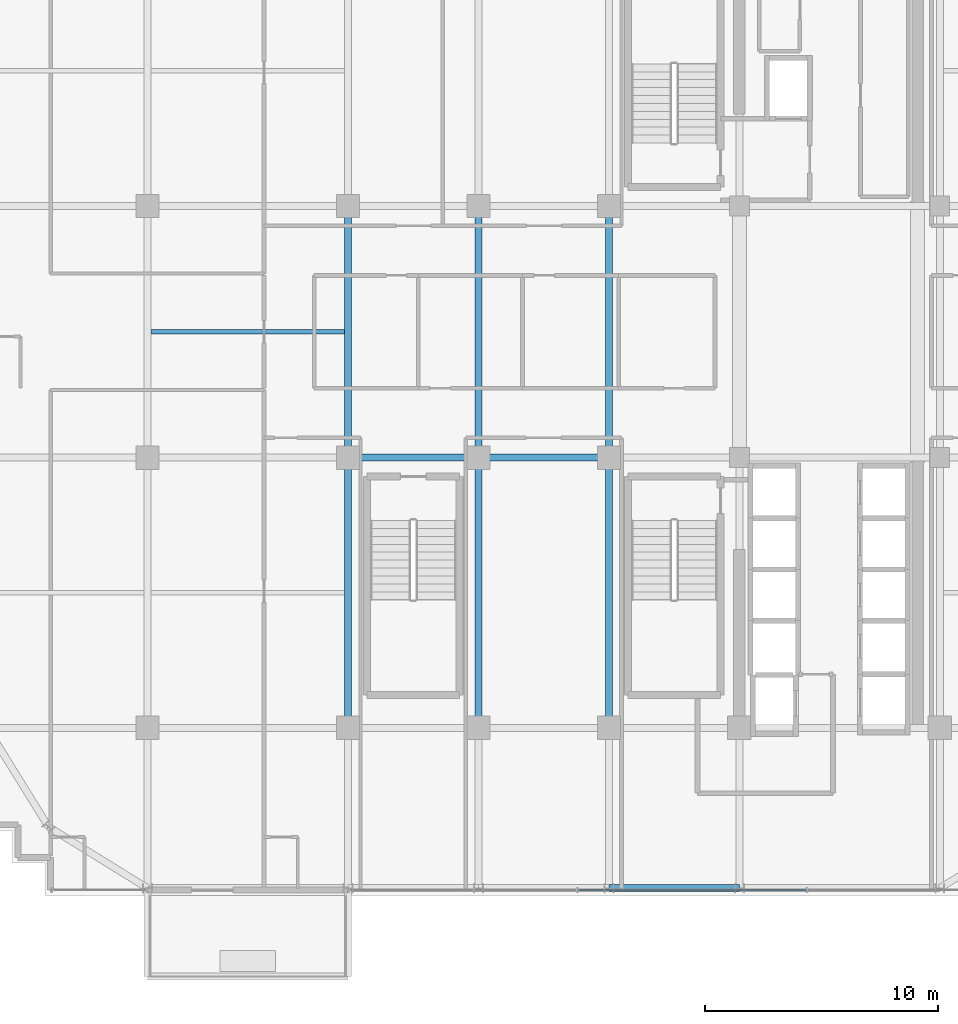
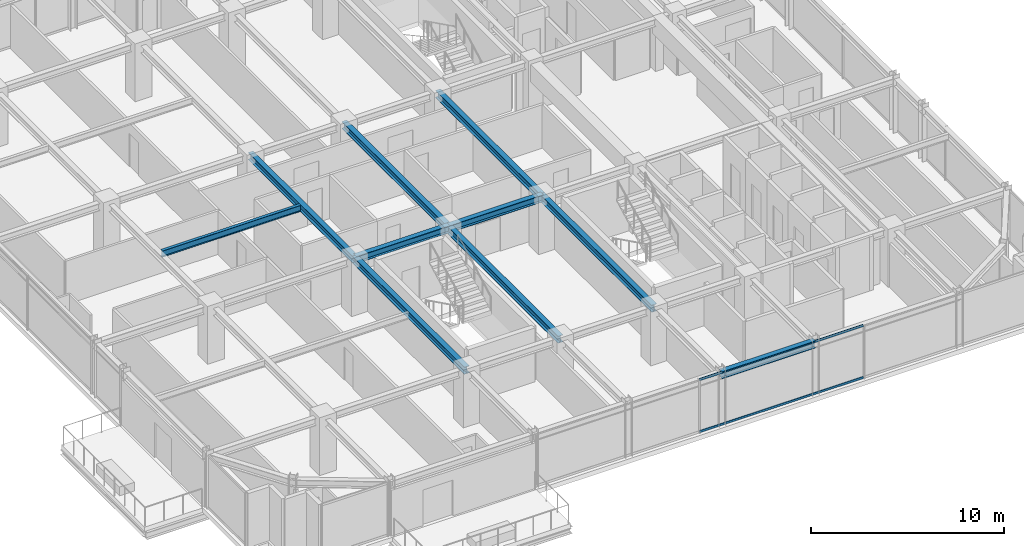
# One storey, part 11 of 35: 10 beams, 2 members, 1 element without a shape of its own.
"""IFC4 building model written with IfcOpenShell, lengths in metres."""

from ifc_helpers import new_model, si_unit, direction, frame, origin, origin_2d, place, context, subcontext, project, spatial, hollow_rectangle, i_section, extrude, source, transform, mapped, material, material_profile, profile_set, type_object, element, aggregate, save


model = new_model("IFC4")

# Units and contexts
model_context = context("Model", 3, precision=1e-05, world=origin(), true_north=direction((0.0, 1.0)))
body_context = subcontext(model_context, "Body", "Model", "MODEL_VIEW")
ifc_project = project(units=[si_unit("LENGTHUNIT", "METRE"), si_unit("AREAUNIT", "SQUARE_METRE"), si_unit("VOLUMEUNIT", "CUBIC_METRE"), si_unit("PLANEANGLEUNIT", "RADIAN"), si_unit("MASSUNIT", "GRAM", prefix="KILO")], contexts=[model_context])

# Site, building, storey
site_placement = place(None, origin())
site = spatial("IfcSite", under=ifc_project, at=site_placement, CompositionType="ELEMENT")
building_placement = place(site_placement, origin())
building = spatial("IfcBuilding", under=site, at=building_placement, Name="Nahalor Promenade Grand Hotel", CompositionType="ELEMENT")
storey_placement = place(building_placement, frame((0.0, 0.0, 216.0)))
storey = spatial("IfcBuildingStorey", under=building, at=storey_placement, Name="L55", CompositionType="ELEMENT", Elevation=216.0)

# Beams
ifc_material_1 = material(Name="Steel S355JR", Category="steel")
ifc_material_profile_1 = material_profile(ifc_material_1, i_section(OverallWidth=0.3, OverallDepth=0.45, WebThickness=0.014, FlangeThickness=0.026, at=origin_2d()), Name="HEB 450")
ifc_profile_set_1 = profile_set([ifc_material_profile_1], Name="Steel S355JR")
beam_type_1 = type_object("IfcBeamType", Name="Beam-Spandrel-HEB450", PredefinedType="SPANDREL", material=ifc_profile_set_1)
shared_shape_1 = source(origin(), body_context, "Body", "SweptSolid", [
    extrude(i_section(OverallWidth=0.3, OverallDepth=0.45, WebThickness=0.014, FlangeThickness=0.026, at=origin_2d()), origin(), (0.0, 0.0, 1.0), 5.599853515625),
])
beam_1_placement = place(storey_placement, frame((2.800048828125, -23.8798828125, 3.18505859375), z_axis=(1.0, 0.0, 0.0), x_axis=(0.0, 1.0, 0.0)))
element("IfcBeam", 1, at=beam_1_placement, inside=storey, type_object=beam_type_1, Name="BM-L55-SP-S-3", PredefinedType="SPANDREL", context=body_context, shape_type="MappedRepresentation", body=[
    mapped(shared_shape_1, transform((0.0, 0.0, 0.0), scale=1.0)),
])
ifc_material_profile_2 = material_profile(ifc_material_1, i_section(OverallWidth=0.3, OverallDepth=0.45, WebThickness=0.014, FlangeThickness=0.026, at=origin_2d()), Name="HEB 450")
ifc_profile_set_2 = profile_set([ifc_material_profile_2], Name="Steel S355JR")
beam_type_2 = type_object("IfcBeamType", Name="Beam-Girder-HEB450", PredefinedType="BEAM", material=ifc_profile_set_2)
shared_shape_2 = source(origin(), body_context, "Body", "SweptSolid", [
    extrude(i_section(OverallWidth=0.3, OverallDepth=0.45, WebThickness=0.014, FlangeThickness=0.026, at=origin_2d()), origin(), (0.0, 0.0, 1.0), 5.599853515625),
])
beam_2_placement = place(storey_placement, frame((-8.39990234375, -5.39990234375, 3.18505859375), z_axis=(1.0, 0.0, 0.0), x_axis=(0.0, 1.0, 0.0)))
element("IfcBeam", 2, at=beam_2_placement, inside=storey, type_object=beam_type_2, Name="BM-L55-GX-1-2", PredefinedType="BEAM", context=body_context, shape_type="MappedRepresentation", body=[
    mapped(shared_shape_2, transform((0.0, 0.0, 0.0), scale=1.0)),
])
shared_shape_3 = source(origin(), body_context, "Body", "SweptSolid", [
    extrude(i_section(OverallWidth=0.3, OverallDepth=0.45, WebThickness=0.014, FlangeThickness=0.026, at=origin_2d()), origin(), (0.0, 0.0, 1.0), 5.60009765625),
])
beam_3_placement = place(storey_placement, frame((-2.800048828125, -5.39990234375, 3.18505859375), z_axis=(1.0, 0.0, 0.0), x_axis=(0.0, 1.0, 0.0)))
element("IfcBeam", 3, at=beam_3_placement, inside=storey, type_object=beam_type_2, Name="BM-L55-GX-1-3", PredefinedType="BEAM", context=body_context, shape_type="MappedRepresentation", body=[
    mapped(shared_shape_3, transform((0.0, 0.0, 0.0), scale=1.0)),
])
shared_shape_4 = source(origin(), body_context, "Body", "SweptSolid", [
    extrude(i_section(OverallWidth=0.3, OverallDepth=0.45, WebThickness=0.014, FlangeThickness=0.026, at=origin_2d()), origin(), (0.0, 0.0, 1.0), 11.60009765625),
])
for number, where, z_axis, x_axis, name in (
    (4, (-8.39990234375, -17.0, 3.18505859375), (0.0, 1.0, 0.0), (-1.0, 0.0, 0.0), "BM-L55-GY-1-1"),
    (5, (-2.800048828125, -17.0, 3.18505859375), (0.0, 1.0, 0.0), (-1.0, 0.0, 0.0), "BM-L55-GY-2-1"),
    (6, (2.800048828125, -17.0, 3.18505859375), (0.0, 1.0, 0.0), (-1.0, 0.0, 0.0), "BM-L55-GY-3-1"),
):
    element("IfcBeam", number, at=place(storey_placement, frame(where, z_axis=z_axis, x_axis=x_axis)), inside=storey, type_object=beam_type_2, Name=name, PredefinedType="BEAM", context=body_context, shape_type="MappedRepresentation", body=[
        mapped(shared_shape_4, transform((0.0, 0.0, 0.0), scale=1.0)),
    ])
shared_shape_5 = source(origin(), body_context, "Body", "SweptSolid", [
    extrude(i_section(OverallWidth=0.3, OverallDepth=0.45, WebThickness=0.014, FlangeThickness=0.026, at=origin_2d()), origin(), (0.0, 0.0, 1.0), 10.7998046875),
])
for number, where, z_axis, x_axis, name in (
    (7, (-8.39990234375, -5.39990234375, 3.18505859375), (0.0, 1.0, 0.0), (-1.0, 0.0, 0.0), "BM-L55-GY-1-2"),
    (8, (-2.800048828125, -5.39990234375, 3.18505859375), (0.0, 1.0, 0.0), (-1.0, 0.0, 0.0), "BM-L55-GY-2-2"),
    (9, (2.800048828125, -5.39990234375, 3.18505859375), (0.0, 1.0, 0.0), (-1.0, 0.0, 0.0), "BM-L55-GY-3-2"),
):
    element("IfcBeam", number, at=place(storey_placement, frame(where, z_axis=z_axis, x_axis=x_axis)), inside=storey, type_object=beam_type_2, Name=name, PredefinedType="BEAM", context=body_context, shape_type="MappedRepresentation", body=[
        mapped(shared_shape_5, transform((0.0, 0.0, 0.0), scale=1.0)),
    ])
ifc_material_profile_3 = material_profile(ifc_material_1, i_section(OverallWidth=0.18, OverallDepth=0.4, WebThickness=0.0086, FlangeThickness=0.0135, at=origin_2d()), Name="IPE 400")
ifc_profile_set_3 = profile_set([ifc_material_profile_3], Name="Steel S355JR")
beam_type_3 = type_object("IfcBeamType", Name="Beam-Joist-IPE400", PredefinedType="JOIST", material=ifc_profile_set_3)
shared_shape_6 = source(origin(), body_context, "Body", "SweptSolid", [
    extrude(i_section(OverallWidth=0.18, OverallDepth=0.4, WebThickness=0.0086, FlangeThickness=0.0135, at=origin_2d()), origin(), (0.0, 0.0, 1.0), 8.300048828125),
])
beam_4_placement = place(storey_placement, frame((-16.85009765625, 0.0, 3.2099609375), z_axis=(1.0, 0.0, 0.0), x_axis=(0.0, 1.0, 0.0)))
element("IfcBeam", 10, at=beam_4_placement, inside=storey, type_object=beam_type_3, Name="BM-L55-JSC-0", PredefinedType="JOIST", context=body_context, shape_type="MappedRepresentation", body=[
    mapped(shared_shape_6, transform((0.0, 0.0, 0.0), scale=1.0)),
])

# Curtain wall, members
ifc_material_2 = material(Name="Anodised Bronze Aluminium EN AW-6063 T6", Category="aluminium")
curtain_wall_type = type_object("IfcCurtainWallType", Name="CW2 Typical Hotel Flush Bronze Unitised Curtain Wall", PredefinedType="USERDEFINED", material=ifc_material_2)
curtain_wall_placement = place(storey_placement, origin())
curtain_wall = element("IfcCurtainWall", 11, at=curtain_wall_placement, inside=storey, type_object=curtain_wall_type, Name="L55 Curtain Wall CW-L55-S-3", ObjectType="UNITISED_CURTAIN_WALL", PredefinedType="USERDEFINED")
ifc_material_profile_4 = material_profile(ifc_material_2, hollow_rectangle(XDim=0.065, YDim=0.13, WallThickness=0.004, at=origin_2d()), Name="CWT 65x130x4")
ifc_profile_set_4 = profile_set([ifc_material_profile_4], Name="Anodised Bronze Aluminium EN AW-6063 T6")
member_type = type_object("IfcMemberType", Name="CWT2 Typical Bronze Transom 65x130", PredefinedType="USERDEFINED", material=ifc_profile_set_4)
shared_shape_7 = source(origin(), body_context, "Body", "SweptSolid", [
    extrude(hollow_rectangle(XDim=0.065, YDim=0.13, WallThickness=0.004, at=origin_2d()), origin(), (0.0, 0.0, 1.0), 9.788330078125),
])
member_1_placement = place(storey_placement, frame((1.48583984375, -23.9599609375, 0.06494140625), z_axis=(1.0, 0.0, 0.0), x_axis=(0.0, 1.0, 0.0)))
member_1 = element("IfcMember", 12, at=member_1_placement, type_object=member_type, Name="CW-L55-S-3 Transom 1-0", ObjectType="TRANSOM", PredefinedType="USERDEFINED", context=body_context, shape_type="MappedRepresentation", body=[
    mapped(shared_shape_7, transform((0.0, 0.0, 0.0), scale=1.0)),
])
member_2_placement = place(storey_placement, frame((1.48583984375, -23.9599609375, 3.344970703125), z_axis=(1.0, 0.0, 0.0), x_axis=(0.0, 1.0, 0.0)))
member_2 = element("IfcMember", 13, at=member_2_placement, type_object=member_type, Name="CW-L55-S-3 Transom 1-1", ObjectType="TRANSOM", PredefinedType="USERDEFINED", context=body_context, shape_type="MappedRepresentation", body=[
    mapped(shared_shape_7, transform((0.0, 0.0, 0.0), scale=1.0)),
])
aggregate(curtain_wall, [member_1, member_2])

save(model, "model.ifc")
